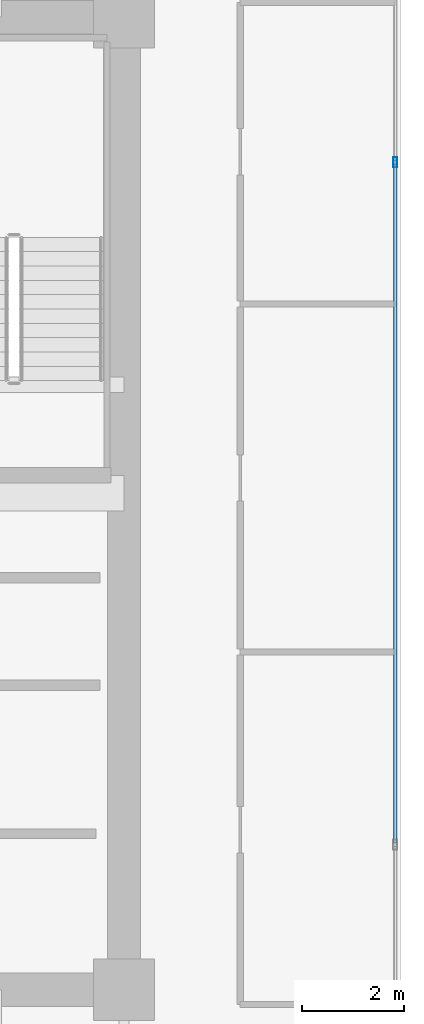
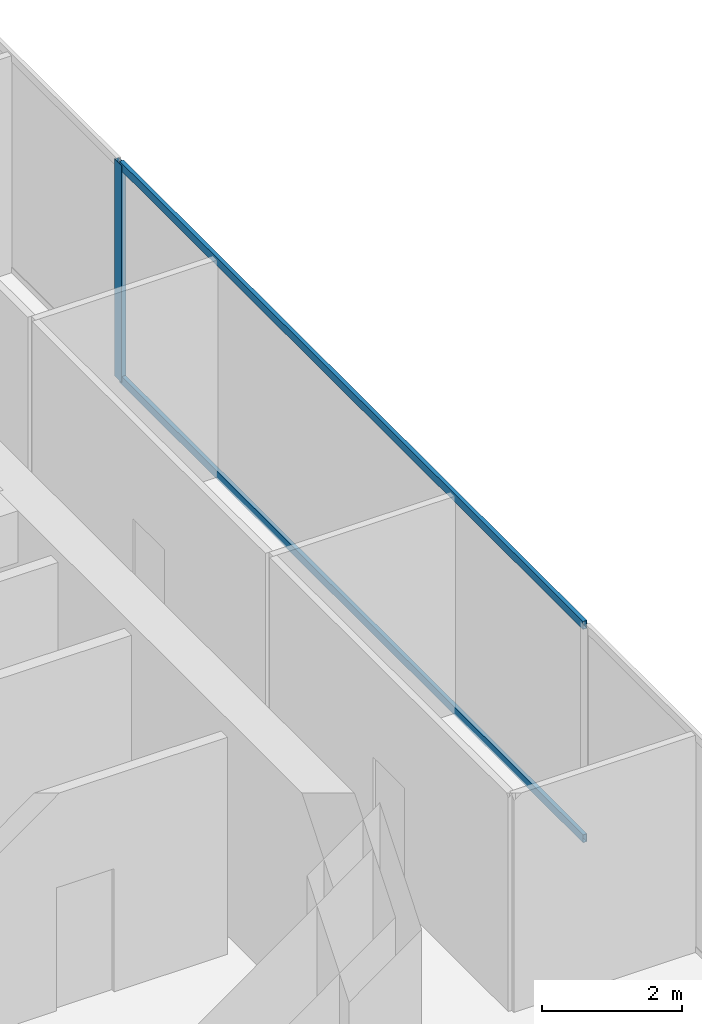
# One storey, part 22 of 31: 3 members, 1 element without a shape of its own.
"""IFC4 building model written with IfcOpenShell, lengths in metres."""

from ifc_helpers import new_model, si_unit, direction, frame, origin, origin_2d, place, context, subcontext, project, spatial, hollow_rectangle, extrude, source, transform, mapped, material, layer, layer_set, material_profile, profile_set, type_object, type_shapes, element, aggregate, save


model = new_model("IFC4")

# Units and contexts
model_context = context("Model", 3, precision=1e-05, world=origin(), true_north=direction((0.0, 1.0)))
body_context = subcontext(model_context, "Body", "Model", "MODEL_VIEW")
ifc_project = project(units=[si_unit("LENGTHUNIT", "METRE"), si_unit("AREAUNIT", "SQUARE_METRE"), si_unit("VOLUMEUNIT", "CUBIC_METRE"), si_unit("PLANEANGLEUNIT", "RADIAN"), si_unit("MASSUNIT", "GRAM", prefix="KILO")], contexts=[model_context])

# Site, building, storey
site_placement = place(None, origin())
site = spatial("IfcSite", under=ifc_project, at=site_placement, CompositionType="ELEMENT")
building_placement = place(site_placement, origin())
building = spatial("IfcBuilding", under=site, at=building_placement, Name="Haelvirn Gate Laboratories", CompositionType="ELEMENT")
storey_placement = place(building_placement, frame((0.0, 0.0, 154.300048828125)))
storey = spatial("IfcBuildingStorey", under=building, at=storey_placement, Name="L37", CompositionType="ELEMENT", Elevation=154.300048828125)

# Curtain wall, members
ifc_material_1 = material(Name="Anodised bronze unitised aluminium & triple low-E glass", Category="aluminium")
ifc_layer = layer(ifc_material_1, 0.179931640625, Name="CW-SYS-3")
ifc_layer_set = layer_set([ifc_layer], Name="Anodised bronze unitised aluminium & triple low-E glass")
curtain_wall_type = type_object("IfcCurtainWallType", Name="CW-SYS-3", PredefinedType="NOTDEFINED", material=ifc_layer_set)
curtain_wall_placement = place(storey_placement, origin())
curtain_wall = element("IfcCurtainWall", 1, at=curtain_wall_placement, inside=storey, type_object=curtain_wall_type, Name="L37 Unitised Curtain Wall CW-L37-P0-E07", PredefinedType="NOTDEFINED")
ifc_material_2 = material(Name="Extruded aluminium 6063-T6 (anodised bronze)", Category="aluminium")
ifc_material_profile_1 = material_profile(ifc_material_2, hollow_rectangle(XDim=0.06494140625, YDim=0.139892578125, WallThickness=0.00390625, at=origin_2d()), Name="CWT-140x65x4")
ifc_profile_set_1 = profile_set([ifc_material_profile_1], Name="Extruded aluminium 6063-T6 (anodised bronze)")
member_type_1 = type_object("IfcMemberType", Name="CWT-T140", PredefinedType="USERDEFINED", material=ifc_profile_set_1)
shared_shape_1 = source(origin(), body_context, "Body", "SweptSolid", [
    extrude(hollow_rectangle(XDim=0.06494140625, YDim=0.139892578125, WallThickness=0.00390625, at=origin_2d()), origin(), (0.0, 0.0, 1.0), 13.25830078125),
])
type_shapes(member_type_1, [shared_shape_1])
member_1_placement = place(storey_placement, frame((72.699951171875, 17.6708984375, 0.032470703125), z_axis=(0.0, 1.0, 0.0), x_axis=(-1.0, 0.0, 0.0)))
member_1 = element("IfcMember", 2, at=member_1_placement, type_object=member_type_1, Name="CW3 transom 2.1", ObjectType="TRANSOM", PredefinedType="USERDEFINED", context=body_context, shape_type="MappedRepresentation", body=[
    mapped(shared_shape_1, transform((0.0, 0.0, 0.0), scale=1.0)),
])
member_2_placement = place(storey_placement, frame((72.699951171875, 17.6708984375, 3.757568359375), z_axis=(0.0, 1.0, 0.0), x_axis=(-1.0, 0.0, 0.0)))
member_2 = element("IfcMember", 3, at=member_2_placement, type_object=member_type_1, Name="CW3 transom 2.2", ObjectType="TRANSOM", PredefinedType="USERDEFINED", context=body_context, shape_type="MappedRepresentation", body=[
    mapped(shared_shape_1, transform((0.0, 0.0, 0.0), scale=1.0)),
])
ifc_material_profile_2 = material_profile(ifc_material_2, hollow_rectangle(XDim=0.074951171875, YDim=0.199951171875, WallThickness=0.0048828125, at=origin_2d()), Name="CWM-200x75x5")
ifc_profile_set_2 = profile_set([ifc_material_profile_2], Name="Extruded aluminium 6063-T6 (anodised bronze)")
member_type_2 = type_object("IfcMemberType", Name="CWM-T200", PredefinedType="MULLION", material=ifc_profile_set_2)
shared_shape_2 = source(origin(), body_context, "Body", "SweptSolid", [
    extrude(hollow_rectangle(XDim=0.074951171875, YDim=0.199951171875, WallThickness=0.0048828125, at=origin_2d()), origin(), (0.0, 0.0, 1.0), 3.7900390625),
])
type_shapes(member_type_2, [shared_shape_2])
member_3_placement = place(storey_placement, frame((72.699951171875, 30.966552734375, 0.0), z_axis=(0.0, 0.0, 1.0), x_axis=(-1.0, 0.0, 0.0)))
member_3 = element("IfcMember", 4, at=member_3_placement, type_object=member_type_2, Name="CW3 mullion 3", PredefinedType="MULLION", context=body_context, shape_type="MappedRepresentation", body=[
    mapped(shared_shape_2, transform((0.0, 0.0, 0.0), scale=1.0)),
])
aggregate(curtain_wall, [member_3, member_1, member_2])

save(model, "model.ifc")
